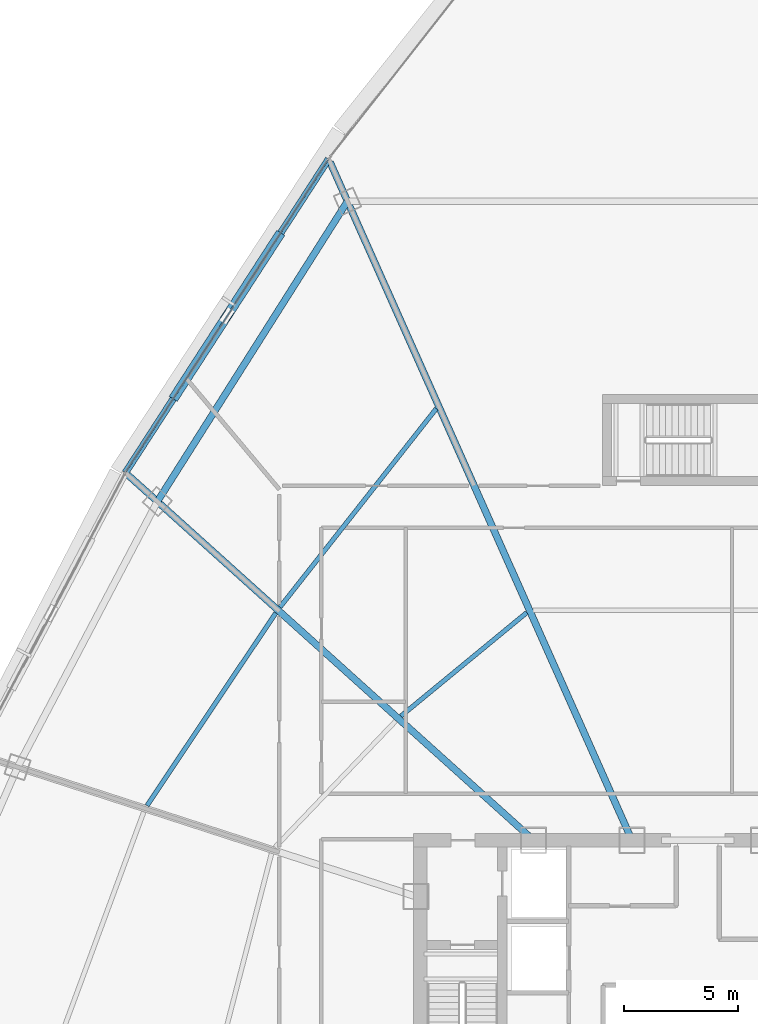
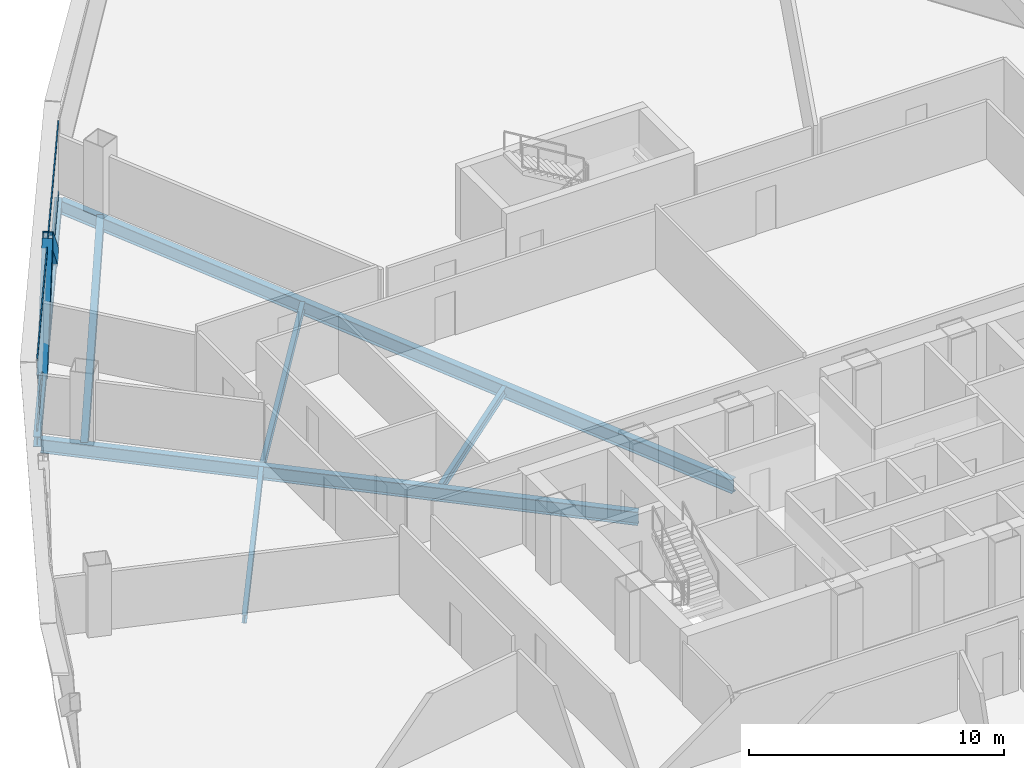
# One storey, part 17 of 42: 7 beams, 4 members, 1 element without a shape of its own.
"""IFC4 building model written with IfcOpenShell, lengths in metres."""

from ifc_helpers import new_model, si_unit, direction, frame, origin, origin_2d, place, context, subcontext, project, spatial, hollow_rectangle, i_section, extrude, source, transform, mapped, material, layer, layer_set, material_profile, profile_set, type_object, element, aggregate, save


model = new_model("IFC4")

# Units and contexts
model_context = context("Model", 3, precision=1e-05, world=origin(), true_north=direction((0.0, 1.0)))
body_context = subcontext(model_context, "Body", "Model", "MODEL_VIEW")
ifc_project = project(units=[si_unit("LENGTHUNIT", "METRE"), si_unit("AREAUNIT", "SQUARE_METRE"), si_unit("VOLUMEUNIT", "CUBIC_METRE"), si_unit("PLANEANGLEUNIT", "RADIAN"), si_unit("MASSUNIT", "GRAM", prefix="KILO"), si_unit("THERMODYNAMICTEMPERATUREUNIT", "KELVIN"), si_unit("POWERUNIT", "WATT")], contexts=[model_context])

# Site, building, storey
site_placement = place(None, origin())
site = spatial("IfcSite", under=ifc_project, at=site_placement, CompositionType="ELEMENT")
building_placement = place(site_placement, origin())
building = spatial("IfcBuilding", under=site, at=building_placement, Name="Yunzhuo Pagoda Commons", CompositionType="ELEMENT")
storey_placement = place(building_placement, frame((0.0, 0.0, 133.510009765625)))
storey = spatial("IfcBuildingStorey", under=building, at=storey_placement, Name="L33", CompositionType="ELEMENT", Elevation=133.510009765625)

# Beams
ifc_material_1 = material(Name="Structural steel Q355B", Category="steel")
ifc_material_profile_1 = material_profile(ifc_material_1, i_section(OverallWidth=0.300048828125, OverallDepth=0.488037109375, WebThickness=0.010986328125, FlangeThickness=0.01806640625, at=origin_2d()), Name="Structural steel Q355B")
ifc_profile_set_1 = profile_set([ifc_material_profile_1], Name="Structural steel Q355B")
beam_type_1 = type_object("IfcBeamType", Name="B-SP1 Beam HM 488x300x11x18", PredefinedType="BEAM", material=ifc_profile_set_1)
shared_shape_1 = source(origin(), body_context, "Body", "SweptSolid", [
    extrude(i_section(OverallWidth=0.300048828125, OverallDepth=0.488037109375, WebThickness=0.010986328125, FlangeThickness=0.01806640625, at=origin_2d()), origin(), (0.0, 0.0, 1.0), 16.43994140625),
])
beam_1_placement = place(storey_placement, frame((31.765380859375, 70.163818359375, -0.503662109375), z_axis=(-0.543751172909, -0.839246484627, 0.0), x_axis=(0.839246484627, -0.543751172909, 0.0)))
element("IfcBeam", 1, at=beam_1_placement, inside=storey, type_object=beam_type_1, Name="L33 facade edge spandrel beam F3.1", PredefinedType="BEAM", context=body_context, shape_type="MappedRepresentation", body=[
    mapped(shared_shape_1, transform((0.0, 0.0, 0.0), scale=1.0)),
])
ifc_material_profile_2 = material_profile(ifc_material_1, i_section(OverallWidth=0.300048828125, OverallDepth=0.64990234375, WebThickness=0.012939453125, FlangeThickness=0.02197265625, at=origin_2d()), Name="Structural steel Q355B")
ifc_profile_set_2 = profile_set([ifc_material_profile_2], Name="Structural steel Q355B")
beam_type_2 = type_object("IfcBeamType", Name="B-RG2 Beam HN 650x300x13x22", PredefinedType="BEAM", material=ifc_profile_set_2)
shared_shape_2 = source(origin(), body_context, "Body", "SweptSolid", [
    extrude(i_section(OverallWidth=0.300048828125, OverallDepth=0.64990234375, WebThickness=0.012939453125, FlangeThickness=0.02197265625, at=origin_2d()), origin(), (0.0, 0.0, 1.0), 24.005859375),
])
beam_2_placement = place(storey_placement, frame((22.94140625, 56.26318359375, -0.5849609375), z_axis=(0.743136854915, -0.66913945846, 0.0), x_axis=(0.66913945846, 0.743136854915, 0.0)))
element("IfcBeam", 2, at=beam_2_placement, inside=storey, type_object=beam_type_2, Name="L33 radial floor girder F3C2", PredefinedType="BEAM", context=body_context, shape_type="MappedRepresentation", body=[
    mapped(shared_shape_2, transform((0.0, 0.0, 0.0), scale=1.0)),
])
shared_shape_3 = source(origin(), body_context, "Body", "SweptSolid", [
    extrude(i_section(OverallWidth=0.300048828125, OverallDepth=0.64990234375, WebThickness=0.012939453125, FlangeThickness=0.02197265625, at=origin_2d()), origin(), (0.0, 0.0, 1.0), 32.64453125),
])
beam_3_placement = place(storey_placement, frame((31.828369140625, 70.022216796875, -0.5849609375), z_axis=(0.406733058142, -0.91354705375, 0.0), x_axis=(0.91354705375, 0.406733058142, 0.0)))
element("IfcBeam", 3, at=beam_3_placement, inside=storey, type_object=beam_type_2, Name="L33 radial floor girder F3C1", PredefinedType="BEAM", context=body_context, shape_type="MappedRepresentation", body=[
    mapped(shared_shape_3, transform((0.0, 0.0, 0.0), scale=1.0)),
])
ifc_material_profile_3 = material_profile(ifc_material_1, i_section(OverallWidth=0.199951171875, OverallDepth=0.39990234375, WebThickness=0.008056640625, FlangeThickness=0.012939453125, at=origin_2d()), Name="Structural steel Q355B")
ifc_profile_set_3 = profile_set([ifc_material_profile_3], Name="Structural steel Q355B")
beam_type_3 = type_object("IfcBeamType", Name="B-JS1 Joist HN 400x200x8x13", PredefinedType="JOIST", material=ifc_profile_set_3)
shared_shape_4 = source(origin(), body_context, "Body", "SweptSolid", [
    extrude(i_section(OverallWidth=0.199951171875, OverallDepth=0.39990234375, WebThickness=0.008056640625, FlangeThickness=0.012939453125, at=origin_2d()), origin(), (0.0, 0.0, 1.0), 10.186767578125),
])
beam_4_placement = place(storey_placement, frame((29.440673828125, 50.19921875, -0.4599609375), z_axis=(-0.555872145938, -0.831267801235, 0.0), x_axis=(0.831267801235, -0.555872145938, 0.0)))
element("IfcBeam", 4, at=beam_4_placement, inside=storey, type_object=beam_type_3, Name="L33 composite ring joist 2.10", PredefinedType="JOIST", context=body_context, shape_type="MappedRepresentation", body=[
    mapped(shared_shape_4, transform((0.0, 0.0, 0.0), scale=1.0)),
])
shared_shape_5 = source(origin(), body_context, "Body", "SweptSolid", [
    extrude(i_section(OverallWidth=0.300048828125, OverallDepth=0.64990234375, WebThickness=0.012939453125, FlangeThickness=0.02197265625, at=origin_2d()), origin(), (0.0, 0.0, 1.0), 15.627685546875),
])
beam_5_placement = place(storey_placement, frame((32.593994140625, 68.302734375, -0.5849609375), z_axis=(-0.534952471728, -0.844882153316, 0.0), x_axis=(0.844882153316, -0.534952471728, 0.0)))
element("IfcBeam", 5, at=beam_5_placement, inside=storey, type_object=beam_type_2, Name="L33 column-ring beam 9", PredefinedType="BEAM", context=body_context, shape_type="MappedRepresentation", body=[
    mapped(shared_shape_5, transform((0.0, 0.0, 0.0), scale=1.0)),
])
shared_shape_6 = source(origin(), body_context, "Body", "SweptSolid", [
    extrude(i_section(OverallWidth=0.199951171875, OverallDepth=0.39990234375, WebThickness=0.008056640625, FlangeThickness=0.012939453125, at=origin_2d()), origin(), (0.0, 0.0, 1.0), 7.163818359375),
])
beam_6_placement = place(storey_placement, frame((40.47900390625, 50.21630859375, -0.4599609375), z_axis=(-0.772234119563, -0.635338071095, 0.0), x_axis=(0.635338071095, -0.772234119563, 0.0)))
element("IfcBeam", 6, at=beam_6_placement, inside=storey, type_object=beam_type_3, Name="L33 composite ring joist 1.9", PredefinedType="JOIST", context=body_context, shape_type="MappedRepresentation", body=[
    mapped(shared_shape_6, transform((0.0, 0.0, 0.0), scale=1.0)),
])
shared_shape_7 = source(origin(), body_context, "Body", "SweptSolid", [
    extrude(i_section(OverallWidth=0.199951171875, OverallDepth=0.39990234375, WebThickness=0.008056640625, FlangeThickness=0.012939453125, at=origin_2d()), origin(), (0.0, 0.0, 1.0), 11.109375),
])
beam_7_placement = place(storey_placement, frame((36.49951171875, 59.18505859375, -0.4599609375), z_axis=(-0.618600596935, -0.785705607382, 0.0), x_axis=(0.785705607382, -0.618600596935, 0.0)))
element("IfcBeam", 7, at=beam_7_placement, inside=storey, type_object=beam_type_3, Name="L33 composite ring joist 2.9", PredefinedType="JOIST", context=body_context, shape_type="MappedRepresentation", body=[
    mapped(shared_shape_7, transform((0.0, 0.0, 0.0), scale=1.0)),
])

# Members
ifc_material_2 = material(Name="Structural steel Q420B", Category="steel")
ifc_material_profile_4 = material_profile(ifc_material_2, hollow_rectangle(XDim=0.419921875, YDim=0.719970703125, WallThickness=0.028076171875, at=origin_2d()), Name="Structural steel Q420B")
ifc_profile_set_4 = profile_set([ifc_material_profile_4], Name="Structural steel Q420B")
member_type_1 = type_object("IfcMemberType", Name="M-DL1 Brace BOX 720x420x28", PredefinedType="BRACE", material=ifc_profile_set_4)
shared_shape_8 = source(origin(), body_context, "Body", "SweptSolid", [
    extrude(hollow_rectangle(XDim=0.419921875, YDim=0.719970703125, WallThickness=0.028076171875, at=origin_2d()), origin(), (0.0, 0.0, 1.0), 5.5166015625),
])
member_1_placement = place(storey_placement, frame((25.06103515625, 59.81591796875, -0.260009765625), z_axis=(0.405074111486, 0.625247137231, 0.667068948152), x_axis=(-0.839262424765, 0.543726569498, 0.0)))
element("IfcMember", 8, at=member_1_placement, inside=storey, type_object=member_type_1, Name="L33 facade diamond brace F3.1R", PredefinedType="BRACE", context=body_context, shape_type="MappedRepresentation", body=[
    mapped(shared_shape_8, transform((0.0, 0.0, 0.0), scale=1.0)),
])
shared_shape_9 = source(origin(), body_context, "Body", "SweptSolid", [
    extrude(hollow_rectangle(XDim=0.419921875, YDim=0.719970703125, WallThickness=0.028076171875, at=origin_2d()), origin(), (0.0, 0.0, 1.0), 5.516845703125),
])
member_2_placement = place(storey_placement, frame((29.530517578125, 66.714599609375, -0.260009765625), z_axis=(-0.405099895343, -0.625262881943, 0.667038532063), x_axis=(0.839252879718, -0.543741302353, 0.0)))
element("IfcMember", 9, at=member_2_placement, inside=storey, type_object=member_type_1, Name="L33 facade diamond brace F3.1L", PredefinedType="BRACE", context=body_context, shape_type="MappedRepresentation", body=[
    mapped(shared_shape_9, transform((0.0, 0.0, 0.0), scale=1.0)),
])

# Curtain wall, members
ifc_material_3 = material(Name="Anodized aluminium 6063-T6", Category="aluminium")
ifc_layer = layer(ifc_material_3, 0.14990234375)
ifc_layer_set = layer_set([ifc_layer], Name="Anodized aluminium 6063-T6")
curtain_wall_type = type_object("IfcCurtainWallType", Name="CW-MID Mid-Zone Ribbon Curtain Wall", PredefinedType="NOTDEFINED", material=ifc_layer_set)
curtain_wall_placement = place(storey_placement, origin())
curtain_wall = element("IfcCurtainWall", 10, at=curtain_wall_placement, inside=storey, type_object=curtain_wall_type, Name="L33 curtain wall CW-L33-F3B2", PredefinedType="NOTDEFINED")
ifc_material_profile_5 = material_profile(ifc_material_3, hollow_rectangle(XDim=0.054931640625, YDim=0.1298828125, WallThickness=0.00341796875, at=origin_2d()), Name="Anodized aluminium 6063-T6")
ifc_profile_set_5 = profile_set([ifc_material_profile_5], Name="Anodized aluminium 6063-T6")
member_type_2 = type_object("IfcMemberType", Name="CW-MID-T Transom RHS 130x55x3.5", PredefinedType="USERDEFINED", material=ifc_profile_set_5)
shared_shape_10 = source(origin(), body_context, "Body", "SweptSolid", [
    extrude(hollow_rectangle(XDim=0.054931640625, YDim=0.1298828125, WallThickness=0.00341796875, at=origin_2d()), origin(), (0.0, 0.0, 1.0), 16.319580078125),
])
member_3_placement = place(storey_placement, frame((31.732666015625, 70.11328125, 0.027587890625), z_axis=(-0.543746793414, -0.839249322104, 0.0), x_axis=(0.839249322104, -0.543746793414, 0.0)))
member_3 = element("IfcMember", 11, at=member_3_placement, type_object=member_type_2, Name="CW transom 1.1", ObjectType="TRANSOM", PredefinedType="USERDEFINED", context=body_context, shape_type="MappedRepresentation", body=[
    mapped(shared_shape_10, transform((0.0, 0.0, 0.0), scale=1.0)),
])
member_4_placement = place(storey_placement, frame((31.732666015625, 70.11328125, 3.392578125), z_axis=(-0.543746793414, -0.839249322104, 0.0), x_axis=(0.839249322104, -0.543746793414, 0.0)))
member_4 = element("IfcMember", 12, at=member_4_placement, type_object=member_type_2, Name="CW transom 1.2", ObjectType="TRANSOM", PredefinedType="USERDEFINED", context=body_context, shape_type="MappedRepresentation", body=[
    mapped(shared_shape_10, transform((0.0, 0.0, 0.0), scale=1.0)),
])
aggregate(curtain_wall, [member_3, member_4])

save(model, "model.ifc")
